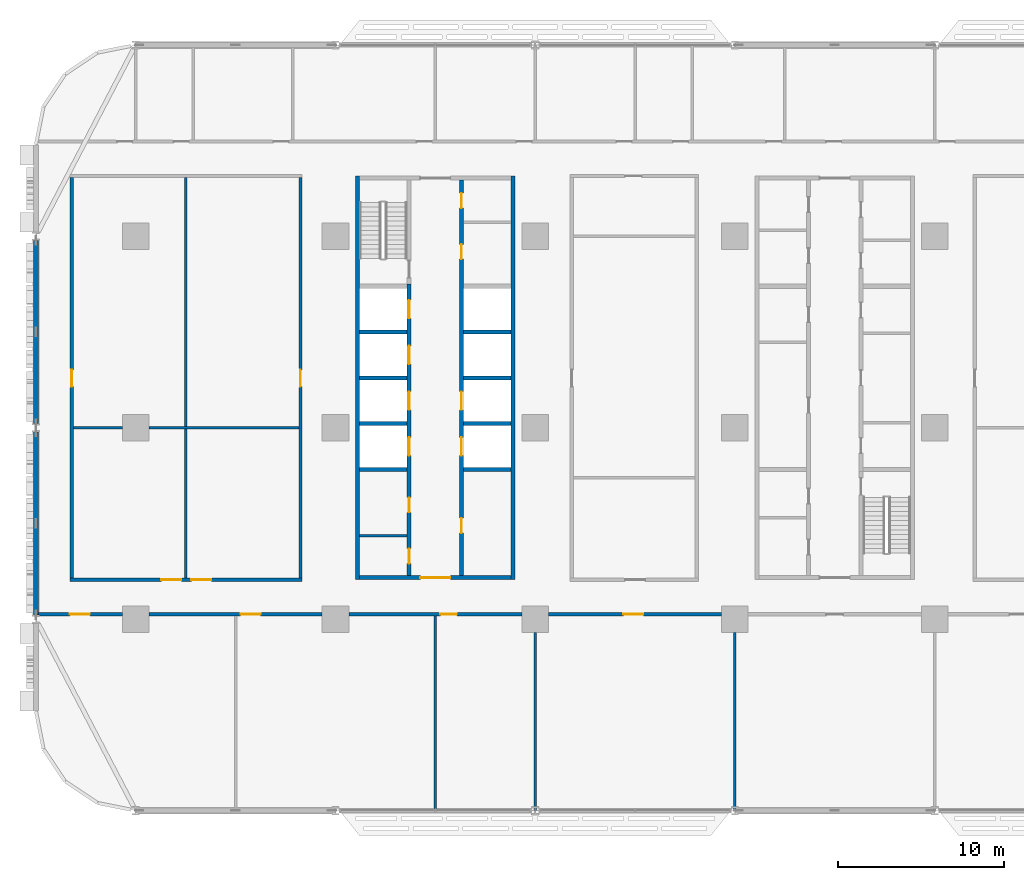
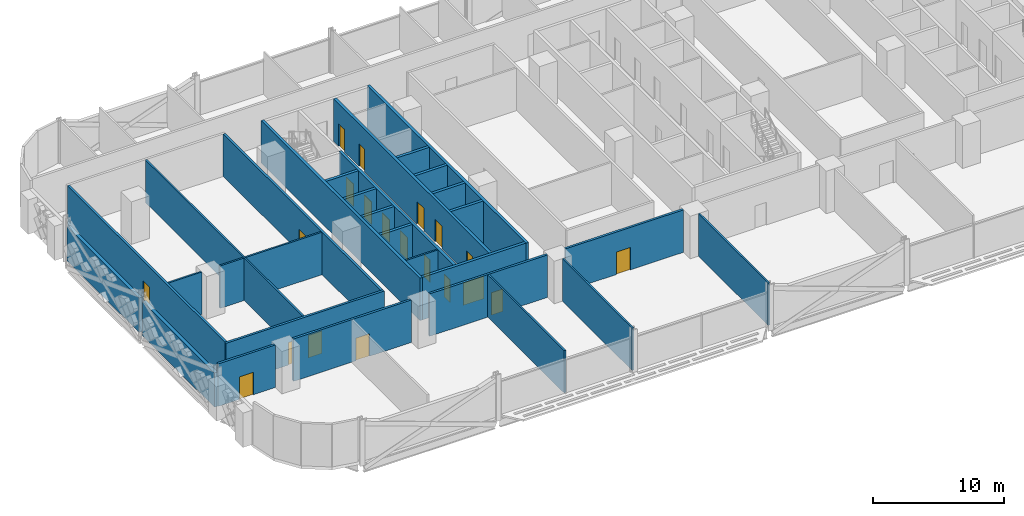
# One storey, part 10 of 28: 29 walls, 20 doors, 20 openings.
"""IFC4 building model written with IfcOpenShell, lengths in metres."""

from ifc_helpers import new_model, si_unit, direction, frame, frame_2d, origin, place, context, subcontext, project, spatial, rectangle, extrude, material, layer, layer_set, type_object, element, fill, save


model = new_model("IFC4")

# Units and contexts
model_context = context("Model", 3, precision=1e-05, world=origin(), true_north=direction((0.0, 1.0)))
body_context = subcontext(model_context, "Body", "Model", "MODEL_VIEW")
ifc_project = project(units=[si_unit("LENGTHUNIT", "METRE"), si_unit("AREAUNIT", "SQUARE_METRE"), si_unit("VOLUMEUNIT", "CUBIC_METRE"), si_unit("PLANEANGLEUNIT", "RADIAN"), si_unit("MASSUNIT", "GRAM", prefix="KILO")], contexts=[model_context])

# Site, building, storey
site_placement = place(None, origin())
site = spatial("IfcSite", under=ifc_project, at=site_placement, CompositionType="ELEMENT")
building_placement = place(site_placement, origin())
building = spatial("IfcBuilding", under=site, at=building_placement, Name="Mahtab Terrace Research Tower", CompositionType="ELEMENT")
storey_placement = place(building_placement, frame((0.0, 0.0, 33.0)))
storey = spatial("IfcBuildingStorey", under=building, at=storey_placement, Name="L07", CompositionType="ELEMENT", Elevation=33.0)

# Walls
ifc_material_1 = material(Name="Gypsum board partition")
ifc_layer_1 = layer(ifc_material_1, 0.14990234375)
ifc_layer_set_1 = layer_set([ifc_layer_1], Name="Core partition 150")
wall_type_1 = type_object("IfcWallType", Name="Core partition 150", PredefinedType="PARTITIONING", material=ifc_layer_set_1)
wall_1_placement = place(storey_placement, frame((-28.550048828125, -6.47509765625, 0.0), z_axis=(0.0, 0.0, 1.0), x_axis=(1.0, 0.0, 0.0)))
element("IfcWall", 1, at=wall_1_placement, inside=storey, type_object=wall_type_1, Name="Core wall A pWS-948", PredefinedType="PARTITIONING", context=body_context, shape_type="SweptSolid", body=[
    extrude(rectangle(XDim=2.85009765625, YDim=0.14990234375, at=frame_2d((1.425048828125, 0.0))), origin(), (0.0, 0.0, 1.0), 3.9599609375),
])
ifc_material_2 = material(Name="Concrete C70/85", Category="concrete")
ifc_layer_2 = layer(ifc_material_2, 0.25)
ifc_layer_set_2 = layer_set([ifc_layer_2], Name="Core wall 250")
wall_type_2 = type_object("IfcWallType", Name="Core wall 250", PredefinedType="SOLIDWALL", material=ifc_layer_set_2)
for number, where, z_axis, x_axis, name in (
    (2, (-28.675048828125, 15.125, 0.0), (0.0, 0.0, 1.0), (0.0, -1.0, 0.0), "Core wall A outerW"),
    (3, (-19.324951171875, -9.125, 0.0), (0.0, 0.0, 1.0), (0.0, 1.0, 0.0), "Core wall A outerE"),
):
    element("IfcWall", number, at=place(storey_placement, frame(where, z_axis=z_axis, x_axis=x_axis)), inside=storey, type_object=wall_type_2, Name=name, PredefinedType="SOLIDWALL", context=body_context, shape_type="SweptSolid", body=[
        extrude(rectangle(XDim=24.25, YDim=0.25, at=frame_2d((12.125, 0.0))), origin(), (0.0, 0.0, 1.0), 3.9599609375),
    ])

# Wall, opening, door
wall_2_placement = place(storey_placement, frame((-19.449951171875, -9.0, 0.0), z_axis=(0.0, 0.0, 1.0), x_axis=(-1.0, 0.0, 0.0)))
wall_2 = element("IfcWall", 4, at=wall_2_placement, inside=storey, type_object=wall_type_2, Name="Core wall A endS", PredefinedType="SOLIDWALL", context=body_context, shape_type="SweptSolid", body=[
    extrude(rectangle(XDim=9.10009765625, YDim=0.25, at=frame_2d((4.550048828125, 0.0))), origin(), (0.0, 0.0, 1.0), 3.9599609375),
])
opening_1_placement = place(wall_2_placement, frame((3.64990234375, 0.0, 0.0)))
opening_1 = element("IfcOpeningElement", 5, at=opening_1_placement, cuts=wall_2, Name="Opening A-S1", PredefinedType="OPENING", context=body_context, shape_type="SweptSolid", body=[
    extrude(rectangle(XDim=1.800048828125, YDim=2.10009765625, at=frame_2d((0.89990234375, 1.050048828125))), frame((0.0, 0.135009765625, 0.0), z_axis=(0.0, -1.0, 0.0), x_axis=(1.0, 0.0, 0.0)), (0.0, 0.0, 1.0), 0.27001953125),
])
ifc_material_3 = material(Name="Steel fire door", Category="steel")
door_type_1 = type_object("IfcDoorType", Name="Lobby double door 1800x2100 1 HR", OperationType="DOUBLE_DOOR_SINGLE_SWING", PredefinedType="DOOR", material=ifc_material_3)
door_1_placement = place(opening_1_placement, origin())
door_1 = element("IfcDoor", 6, at=door_1_placement, inside=storey, type_object=door_type_1, Name="Core entrance door A S", OperationType="DOUBLE_DOOR_SINGLE_SWING", OverallHeight=2.10009765625, OverallWidth=1.800048828125, PredefinedType="DOOR", context=body_context, shape_type="SweptSolid", body=[
    extrude(rectangle(XDim=1.800048828125, YDim=2.10009765625, at=frame_2d((0.89990234375, 1.050048828125))), frame((0.0, 0.02490234375, 0.0), z_axis=(0.0, -1.0, 0.0), x_axis=(1.0, 0.0, 0.0)), (0.0, 0.0, 1.0), 0.050048828125),
])
fill(opening_1, door_1)

# Wall, openings, doors
wall_3_placement = place(storey_placement, frame((-25.574951171875, -8.875, 0.0), z_axis=(0.0, 0.0, 1.0), x_axis=(0.0, 1.0, 0.0)))
wall_3 = element("IfcWall", 7, at=wall_3_placement, inside=storey, type_object=wall_type_2, Name="Core wall A innerWSL", PredefinedType="SOLIDWALL", context=body_context, shape_type="SweptSolid", body=[
    extrude(rectangle(XDim=17.5, YDim=0.25, at=frame_2d((8.75, 0.0))), origin(), (0.0, 0.0, 1.0), 3.9599609375),
])
opening_2_placement = place(wall_3_placement, frame((7.199951171875, 0.0, 0.0)))
opening_2 = element("IfcOpeningElement", 8, at=opening_2_placement, cuts=wall_3, Name="Opening LD01-L07", PredefinedType="OPENING", context=body_context, shape_type="SweptSolid", body=[
    extrude(rectangle(XDim=1.10009765625, YDim=2.10009765625, at=frame_2d((0.550048828125, 1.050048828125))), frame((0.0, 0.135009765625, 0.0), z_axis=(0.0, -1.0, 0.0), x_axis=(1.0, 0.0, 0.0)), (0.0, 0.0, 1.0), 0.27001953125),
])
opening_3_placement = place(wall_3_placement, frame((9.949951171875, 0.0, 0.0)))
opening_3 = element("IfcOpeningElement", 9, at=opening_3_placement, cuts=wall_3, Name="Opening LD02-L07", PredefinedType="OPENING", context=body_context, shape_type="SweptSolid", body=[
    extrude(rectangle(XDim=1.10009765625, YDim=2.10009765625, at=frame_2d((0.550048828125, 1.050048828125))), frame((0.0, 0.135009765625, 0.0), z_axis=(0.0, -1.0, 0.0), x_axis=(1.0, 0.0, 0.0)), (0.0, 0.0, 1.0), 0.27001953125),
])
opening_4_placement = place(wall_3_placement, frame((12.699951171875, 0.0, 0.0)))
opening_4 = element("IfcOpeningElement", 10, at=opening_4_placement, cuts=wall_3, Name="Opening LD03-L07", PredefinedType="OPENING", context=body_context, shape_type="SweptSolid", body=[
    extrude(rectangle(XDim=1.10009765625, YDim=2.10009765625, at=frame_2d((0.550048828125, 1.050048828125))), frame((0.0, 0.135009765625, 0.0), z_axis=(0.0, -1.0, 0.0), x_axis=(1.0, 0.0, 0.0)), (0.0, 0.0, 1.0), 0.27001953125),
])
opening_5_placement = place(wall_3_placement, frame((15.449951171875, 0.0, 0.0)))
opening_5 = element("IfcOpeningElement", 11, at=opening_5_placement, cuts=wall_3, Name="Opening LD04-L07", PredefinedType="OPENING", context=body_context, shape_type="SweptSolid", body=[
    extrude(rectangle(XDim=1.10009765625, YDim=2.10009765625, at=frame_2d((0.550048828125, 1.050048828125))), frame((0.0, 0.135009765625, 0.0), z_axis=(0.0, -1.0, 0.0), x_axis=(1.0, 0.0, 0.0)), (0.0, 0.0, 1.0), 0.27001953125),
])
opening_6_placement = place(wall_3_placement, frame((0.71240234375, 0.0, 0.0)))
opening_6 = element("IfcOpeningElement", 12, at=opening_6_placement, cuts=wall_3, Name="Opening A-R1", PredefinedType="OPENING", context=body_context, shape_type="SweptSolid", body=[
    extrude(rectangle(XDim=0.89990234375, YDim=2.10009765625, at=frame_2d((0.449951171875, 1.050048828125))), frame((0.0, 0.135009765625, 0.0), z_axis=(0.0, -1.0, 0.0), x_axis=(1.0, 0.0, 0.0)), (0.0, 0.0, 1.0), 0.27001953125),
])
opening_7_placement = place(wall_3_placement, frame((3.78759765625, 0.0, 0.0)))
opening_7 = element("IfcOpeningElement", 13, at=opening_7_placement, cuts=wall_3, Name="Opening A-R2", PredefinedType="OPENING", context=body_context, shape_type="SweptSolid", body=[
    extrude(rectangle(XDim=0.89990234375, YDim=2.10009765625, at=frame_2d((0.449951171875, 1.050048828125))), frame((0.0, 0.135009765625, 0.0), z_axis=(0.0, -1.0, 0.0), x_axis=(1.0, 0.0, 0.0)), (0.0, 0.0, 1.0), 0.27001953125),
])
ifc_material_4 = material(Name="Stainless steel AISI 304", Category="steel")
door_type_2 = type_object("IfcDoorType", Name="Landing door 1100x2100", OperationType="DOUBLE_DOOR_SLIDING", PredefinedType="DOOR", material=ifc_material_4)
door_2_placement = place(opening_2_placement, origin())
door_2 = element("IfcDoor", 14, at=door_2_placement, inside=storey, type_object=door_type_2, Name="Landing door LR1 L07", OperationType="DOUBLE_DOOR_SLIDING", OverallHeight=2.10009765625, OverallWidth=1.10009765625, PredefinedType="DOOR", context=body_context, shape_type="SweptSolid", body=[
    extrude(rectangle(XDim=1.10009765625, YDim=2.10009765625, at=frame_2d((0.550048828125, 1.050048828125))), frame((0.0, 0.02490234375, 0.0), z_axis=(0.0, -1.0, 0.0), x_axis=(1.0, 0.0, 0.0)), (0.0, 0.0, 1.0), 0.050048828125),
])
fill(opening_2, door_2)
door_3_placement = place(opening_3_placement, origin())
door_3 = element("IfcDoor", 15, at=door_3_placement, inside=storey, type_object=door_type_2, Name="Landing door LR2 L07", OperationType="DOUBLE_DOOR_SLIDING", OverallHeight=2.10009765625, OverallWidth=1.10009765625, PredefinedType="DOOR", context=body_context, shape_type="SweptSolid", body=[
    extrude(rectangle(XDim=1.10009765625, YDim=2.10009765625, at=frame_2d((0.550048828125, 1.050048828125))), frame((0.0, 0.02490234375, 0.0), z_axis=(0.0, -1.0, 0.0), x_axis=(1.0, 0.0, 0.0)), (0.0, 0.0, 1.0), 0.050048828125),
])
fill(opening_3, door_3)
door_4_placement = place(opening_4_placement, origin())
door_4 = element("IfcDoor", 16, at=door_4_placement, inside=storey, type_object=door_type_2, Name="Landing door LR3 L07", OperationType="DOUBLE_DOOR_SLIDING", OverallHeight=2.10009765625, OverallWidth=1.10009765625, PredefinedType="DOOR", context=body_context, shape_type="SweptSolid", body=[
    extrude(rectangle(XDim=1.10009765625, YDim=2.10009765625, at=frame_2d((0.550048828125, 1.050048828125))), frame((0.0, 0.02490234375, 0.0), z_axis=(0.0, -1.0, 0.0), x_axis=(1.0, 0.0, 0.0)), (0.0, 0.0, 1.0), 0.050048828125),
])
fill(opening_4, door_4)
door_5_placement = place(opening_5_placement, origin())
door_5 = element("IfcDoor", 17, at=door_5_placement, inside=storey, type_object=door_type_2, Name="Landing door LR4 L07", OperationType="DOUBLE_DOOR_SLIDING", OverallHeight=2.10009765625, OverallWidth=1.10009765625, PredefinedType="DOOR", context=body_context, shape_type="SweptSolid", body=[
    extrude(rectangle(XDim=1.10009765625, YDim=2.10009765625, at=frame_2d((0.550048828125, 1.050048828125))), frame((0.0, 0.02490234375, 0.0), z_axis=(0.0, -1.0, 0.0), x_axis=(1.0, 0.0, 0.0)), (0.0, 0.0, 1.0), 0.050048828125),
])
fill(opening_5, door_5)
door_type_3 = type_object("IfcDoorType", Name="Room door 900x2100 1 HR", OperationType="NOTDEFINED", PredefinedType="DOOR", material=ifc_material_3)
door_6_placement = place(opening_6_placement, origin())
door_6 = element("IfcDoor", 18, at=door_6_placement, inside=storey, type_object=door_type_3, Name="Accessible WC door", OperationType="SINGLE_SWING_LEFT", OverallHeight=2.10009765625, OverallWidth=0.89990234375, PredefinedType="DOOR", context=body_context, shape_type="SweptSolid", body=[
    extrude(rectangle(XDim=0.89990234375, YDim=2.10009765625, at=frame_2d((0.449951171875, 1.050048828125))), frame((0.0, 0.02490234375, 0.0), z_axis=(0.0, -1.0, 0.0), x_axis=(1.0, 0.0, 0.0)), (0.0, 0.0, 1.0), 0.050048828125),
])
fill(opening_6, door_6)
door_7_placement = place(opening_7_placement, origin())
door_7 = element("IfcDoor", 19, at=door_7_placement, inside=storey, type_object=door_type_3, Name="WC block door", OperationType="SINGLE_SWING_RIGHT", OverallHeight=2.10009765625, OverallWidth=0.89990234375, PredefinedType="DOOR", context=body_context, shape_type="SweptSolid", body=[
    extrude(rectangle(XDim=0.89990234375, YDim=2.10009765625, at=frame_2d((0.449951171875, 1.050048828125))), frame((0.0, 0.02490234375, 0.0), z_axis=(0.0, -1.0, 0.0), x_axis=(1.0, 0.0, 0.0)), (0.0, 0.0, 1.0), 0.050048828125),
])
fill(opening_7, door_7)

wall_4_placement = place(storey_placement, frame((-22.425048828125, 14.875, 0.0), z_axis=(0.0, 0.0, 1.0), x_axis=(0.0, -1.0, 0.0)))
wall_4 = element("IfcWall", 20, at=wall_4_placement, inside=storey, type_object=wall_type_2, Name="Core wall A innerESLN", PredefinedType="SOLIDWALL", context=body_context, shape_type="SweptSolid", body=[
    extrude(rectangle(XDim=23.75, YDim=0.25, at=frame_2d((11.875, 0.0))), origin(), (0.0, 0.0, 1.0), 3.9599609375),
])
opening_8_placement = place(wall_4_placement, frame((15.449951171875, 0.0, 0.0)))
opening_8 = element("IfcOpeningElement", 21, at=opening_8_placement, cuts=wall_4, Name="Opening LD05-L07", PredefinedType="OPENING", context=body_context, shape_type="SweptSolid", body=[
    extrude(rectangle(XDim=1.10009765625, YDim=2.10009765625, at=frame_2d((0.550048828125, 1.050048828125))), frame((0.0, 0.135009765625, 0.0), z_axis=(0.0, -1.0, 0.0), x_axis=(1.0, 0.0, 0.0)), (0.0, 0.0, 1.0), 0.27001953125),
])
opening_9_placement = place(wall_4_placement, frame((12.699951171875, 0.0, 0.0)))
opening_9 = element("IfcOpeningElement", 22, at=opening_9_placement, cuts=wall_4, Name="Opening LD06-L07", PredefinedType="OPENING", context=body_context, shape_type="SweptSolid", body=[
    extrude(rectangle(XDim=1.10009765625, YDim=2.10009765625, at=frame_2d((0.550048828125, 1.050048828125))), frame((0.0, 0.135009765625, 0.0), z_axis=(0.0, -1.0, 0.0), x_axis=(1.0, 0.0, 0.0)), (0.0, 0.0, 1.0), 0.27001953125),
])
opening_10_placement = place(wall_4_placement, frame((20.300048828125, 0.0, 0.0)))
opening_10 = element("IfcOpeningElement", 23, at=opening_10_placement, cuts=wall_4, Name="Opening A-R3", PredefinedType="OPENING", context=body_context, shape_type="SweptSolid", body=[
    extrude(rectangle(XDim=0.89990234375, YDim=2.10009765625, at=frame_2d((0.449951171875, 1.050048828125))), frame((0.0, 0.135009765625, 0.0), z_axis=(0.0, -1.0, 0.0), x_axis=(1.0, 0.0, 0.0)), (0.0, 0.0, 1.0), 0.27001953125),
])
opening_11_placement = place(wall_4_placement, frame((3.847412109375, 0.0, 0.0)))
opening_11 = element("IfcOpeningElement", 24, at=opening_11_placement, cuts=wall_4, Name="Opening A-R4", PredefinedType="OPENING", context=body_context, shape_type="SweptSolid", body=[
    extrude(rectangle(XDim=0.89990234375, YDim=2.10009765625, at=frame_2d((0.449951171875, 1.050048828125))), frame((0.0, 0.135009765625, 0.0), z_axis=(0.0, -1.0, 0.0), x_axis=(1.0, 0.0, 0.0)), (0.0, 0.0, 1.0), 0.27001953125),
])
opening_12_placement = place(wall_4_placement, frame((0.7724609375, 0.0, 0.0)))
opening_12 = element("IfcOpeningElement", 25, at=opening_12_placement, cuts=wall_4, Name="Opening A-R5", PredefinedType="OPENING", context=body_context, shape_type="SweptSolid", body=[
    extrude(rectangle(XDim=0.89990234375, YDim=2.10009765625, at=frame_2d((0.449951171875, 1.050048828125))), frame((0.0, 0.135009765625, 0.0), z_axis=(0.0, -1.0, 0.0), x_axis=(1.0, 0.0, 0.0)), (0.0, 0.0, 1.0), 0.27001953125),
])
door_8_placement = place(opening_8_placement, origin())
door_8 = element("IfcDoor", 26, at=door_8_placement, inside=storey, type_object=door_type_2, Name="Landing door LR5 L07", OperationType="DOUBLE_DOOR_SLIDING", OverallHeight=2.10009765625, OverallWidth=1.10009765625, PredefinedType="DOOR", context=body_context, shape_type="SweptSolid", body=[
    extrude(rectangle(XDim=1.10009765625, YDim=2.10009765625, at=frame_2d((0.550048828125, 1.050048828125))), frame((0.0, 0.02490234375, 0.0), z_axis=(0.0, -1.0, 0.0), x_axis=(1.0, 0.0, 0.0)), (0.0, 0.0, 1.0), 0.050048828125),
])
fill(opening_8, door_8)
door_9_placement = place(opening_9_placement, origin())
door_9 = element("IfcDoor", 27, at=door_9_placement, inside=storey, type_object=door_type_2, Name="Landing door LR6 L07", OperationType="DOUBLE_DOOR_SLIDING", OverallHeight=2.10009765625, OverallWidth=1.10009765625, PredefinedType="DOOR", context=body_context, shape_type="SweptSolid", body=[
    extrude(rectangle(XDim=1.10009765625, YDim=2.10009765625, at=frame_2d((0.550048828125, 1.050048828125))), frame((0.0, 0.02490234375, 0.0), z_axis=(0.0, -1.0, 0.0), x_axis=(1.0, 0.0, 0.0)), (0.0, 0.0, 1.0), 0.050048828125),
])
fill(opening_9, door_9)
door_10_placement = place(opening_10_placement, origin())
door_10 = element("IfcDoor", 28, at=door_10_placement, inside=storey, type_object=door_type_3, Name="Gas cylinder store door", OperationType="SINGLE_SWING_LEFT", OverallHeight=2.10009765625, OverallWidth=0.89990234375, PredefinedType="DOOR", context=body_context, shape_type="SweptSolid", body=[
    extrude(rectangle(XDim=0.89990234375, YDim=2.10009765625, at=frame_2d((0.449951171875, 1.050048828125))), frame((0.0, 0.02490234375, 0.0), z_axis=(0.0, -1.0, 0.0), x_axis=(1.0, 0.0, 0.0)), (0.0, 0.0, 1.0), 0.050048828125),
])
fill(opening_10, door_10)
door_11_placement = place(opening_11_placement, origin())
door_11 = element("IfcDoor", 29, at=door_11_placement, inside=storey, type_object=door_type_3, Name="Pantry door", OperationType="SINGLE_SWING_RIGHT", OverallHeight=2.10009765625, OverallWidth=0.89990234375, PredefinedType="DOOR", context=body_context, shape_type="SweptSolid", body=[
    extrude(rectangle(XDim=0.89990234375, YDim=2.10009765625, at=frame_2d((0.449951171875, 1.050048828125))), frame((0.0, 0.02490234375, 0.0), z_axis=(0.0, -1.0, 0.0), x_axis=(1.0, 0.0, 0.0)), (0.0, 0.0, 1.0), 0.050048828125),
])
fill(opening_11, door_11)
door_12_placement = place(opening_12_placement, origin())
door_12 = element("IfcDoor", 30, at=door_12_placement, inside=storey, type_object=door_type_3, Name="Linen store door", OperationType="SINGLE_SWING_LEFT", OverallHeight=2.10009765625, OverallWidth=0.89990234375, PredefinedType="DOOR", context=body_context, shape_type="SweptSolid", body=[
    extrude(rectangle(XDim=0.89990234375, YDim=2.10009765625, at=frame_2d((0.449951171875, 1.050048828125))), frame((0.0, 0.02490234375, 0.0), z_axis=(0.0, -1.0, 0.0), x_axis=(1.0, 0.0, 0.0)), (0.0, 0.0, 1.0), 0.050048828125),
])
fill(opening_12, door_12)

# Walls
for number, where, z_axis, x_axis, name in (
    (31, (-28.550048828125, -2.5, 0.0), (0.0, 0.0, 1.0), (1.0, 0.0, 0.0), "Core wall A divW0"),
    (32, (-28.550048828125, 0.25, 0.0), (0.0, 0.0, 1.0), (1.0, 0.0, 0.0), "Core wall A divW1"),
    (33, (-28.550048828125, 3.0, 0.0), (0.0, 0.0, 1.0), (1.0, 0.0, 0.0), "Core wall A divW2"),
    (34, (-28.550048828125, 5.75, 0.0), (0.0, 0.0, 1.0), (1.0, 0.0, 0.0), "Core wall A divW3"),
    (35, (-22.300048828125, -2.5, 0.0), (0.0, 0.0, 1.0), (1.0, 0.0, 0.0), "Core wall A divE0"),
    (36, (-22.300048828125, 0.25, 0.0), (0.0, 0.0, 1.0), (1.0, 0.0, 0.0), "Core wall A divE1"),
    (37, (-22.300048828125, 3.0, 0.0), (0.0, 0.0, 1.0), (1.0, 0.0, 0.0), "Core wall A divE2"),
    (38, (-22.300048828125, 5.75, 0.0), (0.0, 0.0, 1.0), (1.0, 0.0, 0.0), "Core wall A divE3"),
):
    element("IfcWall", number, at=place(storey_placement, frame(where, z_axis=z_axis, x_axis=x_axis)), inside=storey, type_object=wall_type_2, Name=name, PredefinedType="SOLIDWALL", context=body_context, shape_type="SweptSolid", body=[
        extrude(rectangle(XDim=2.85009765625, YDim=0.25, at=frame_2d((1.425048828125, 0.0))), origin(), (0.0, 0.0, 1.0), 3.9599609375),
    ])
ifc_material_5 = material(Name="Black aluminium cladding panel", Category="aluminium")
ifc_layer_3 = layer(ifc_material_5, 0.300048828125)
ifc_layer_set_3 = layer_set([ifc_layer_3], Name="Opaque facade wall 300")
wall_type_3 = type_object("IfcWallType", Name="Opaque facade wall 300", PredefinedType="NOTDEFINED", material=ifc_layer_set_3)
for number, where, z_axis, x_axis, name in (
    (39, (-48.0, 11.2509765625, 0.0), (0.0, 0.0, 1.0), (0.0, -1.0, 0.0), "Opaque facade wall L07 W15"),
    (40, (-48.0, -0.2490234375, 0.0), (0.0, 0.0, 1.0), (0.0, -1.0, 0.0), "Opaque facade wall L07 W16"),
):
    element("IfcWall", number, at=place(storey_placement, frame(where, z_axis=z_axis, x_axis=x_axis)), inside=storey, type_object=wall_type_3, Name=name, PredefinedType="NOTDEFINED", context=body_context, shape_type="SweptSolid", body=[
        extrude(rectangle(XDim=11.001953125, YDim=0.300048828125, at=frame_2d((5.5009765625, 0.0))), origin(), (0.0, 0.0, 1.0), 3.203125),
    ])

# Wall, opening, door
ifc_material_6 = material(Name="Gypsum board corridor wall on steel studs", Category="steel")
ifc_layer_4 = layer(ifc_material_6, 0.199951171875)
ifc_layer_set_4 = layer_set([ifc_layer_4], Name="WALL CORRIDOR 200")
wall_type_4 = type_object("IfcWallType", Name="WALL CORRIDOR 200", PredefinedType="PARTITIONING", material=ifc_layer_set_4)
wall_5_placement = place(storey_placement, frame((-47.85009765625, -11.199951171875, 0.0), z_axis=(0.0, 0.0, 1.0), x_axis=(1.0, 0.0, 0.0)))
wall_5 = element("IfcWall", 41, at=wall_5_placement, inside=storey, type_object=wall_type_4, Name="L07-W001", PredefinedType="PARTITIONING", context=body_context, shape_type="SweptSolid", body=[
    extrude(rectangle(XDim=5.050048828125, YDim=0.199951171875, at=frame_2d((2.52490234375, 0.0))), origin(), (0.0, 0.0, 1.0), 3.9599609375),
])
opening_13_placement = place(wall_5_placement, frame((1.89990234375, 0.0, 0.0)))
opening_13 = element("IfcOpeningElement", 42, at=opening_13_placement, cuts=wall_5, Name="Opening L07-101", PredefinedType="OPENING", context=body_context, shape_type="SweptSolid", body=[
    extrude(rectangle(XDim=1.199951171875, YDim=2.10009765625, at=frame_2d((0.60009765625, 1.050048828125))), frame((0.0, 0.10986328125, 0.0), z_axis=(0.0, -1.0, 0.0), x_axis=(1.0, 0.0, 0.0)), (0.0, 0.0, 1.0), 0.219970703125),
])
ifc_material_7 = material(Name="Timber door leaf in steel frame", Category="steel")
door_type_4 = type_object("IfcDoorType", Name="DOOR 1200X2100 FD30S", OperationType="SINGLE_SWING_LEFT", PredefinedType="DOOR", material=ifc_material_7)
door_13_placement = place(opening_13_placement, origin())
door_13 = element("IfcDoor", 43, at=door_13_placement, inside=storey, type_object=door_type_4, Name="Door L07-101", OperationType="SINGLE_SWING_RIGHT", OverallHeight=2.10009765625, OverallWidth=1.199951171875, PredefinedType="DOOR", context=body_context, shape_type="SweptSolid", body=[
    extrude(rectangle(XDim=1.199951171875, YDim=2.10009765625, at=frame_2d((0.60009765625, 1.050048828125))), frame((0.0, 0.02490234375, 0.0), z_axis=(0.0, -1.0, 0.0), x_axis=(1.0, 0.0, 0.0)), (0.0, 0.0, 1.0), 0.050048828125),
])
fill(opening_13, door_13)

wall_6_placement = place(storey_placement, frame((-41.199951171875, -11.199951171875, 0.0), z_axis=(0.0, 0.0, 1.0), x_axis=(1.0, 0.0, 0.0)))
wall_6 = element("IfcWall", 44, at=wall_6_placement, inside=storey, type_object=wall_type_4, Name="L07-W002", PredefinedType="PARTITIONING", context=body_context, shape_type="SweptSolid", body=[
    extrude(rectangle(XDim=10.39990234375, YDim=0.199951171875, at=frame_2d((5.199951171875, 0.0))), origin(), (0.0, 0.0, 1.0), 3.9599609375),
])
opening_14_placement = place(wall_6_placement, frame((5.5, 0.0, 0.0)))
opening_14 = element("IfcOpeningElement", 45, at=opening_14_placement, cuts=wall_6, Name="Opening L07-102", PredefinedType="OPENING", context=body_context, shape_type="SweptSolid", body=[
    extrude(rectangle(XDim=1.199951171875, YDim=2.10009765625, at=frame_2d((0.60009765625, 1.050048828125))), frame((0.0, 0.10986328125, 0.0), z_axis=(0.0, -1.0, 0.0), x_axis=(1.0, 0.0, 0.0)), (0.0, 0.0, 1.0), 0.219970703125),
])
door_14_placement = place(opening_14_placement, origin())
door_14 = element("IfcDoor", 46, at=door_14_placement, inside=storey, type_object=door_type_4, Name="Door L07-102", OperationType="SINGLE_SWING_LEFT", OverallHeight=2.10009765625, OverallWidth=1.199951171875, PredefinedType="DOOR", context=body_context, shape_type="SweptSolid", body=[
    extrude(rectangle(XDim=1.199951171875, YDim=2.10009765625, at=frame_2d((0.60009765625, 1.050048828125))), frame((0.0, 0.02490234375, 0.0), z_axis=(0.0, -1.0, 0.0), x_axis=(1.0, 0.0, 0.0)), (0.0, 0.0, 1.0), 0.050048828125),
])
fill(opening_14, door_14)

wall_7_placement = place(storey_placement, frame((-29.199951171875, -11.199951171875, 0.0), z_axis=(0.0, 0.0, 1.0), x_axis=(1.0, 0.0, 0.0)))
wall_7 = element("IfcWall", 47, at=wall_7_placement, inside=storey, type_object=wall_type_4, Name="L07-W003", PredefinedType="PARTITIONING", context=body_context, shape_type="SweptSolid", body=[
    extrude(rectangle(XDim=10.39990234375, YDim=0.199951171875, at=frame_2d((5.199951171875, 0.0))), origin(), (0.0, 0.0, 1.0), 3.9599609375),
])
opening_15_placement = place(wall_7_placement, frame((5.5, 0.0, 0.0)))
opening_15 = element("IfcOpeningElement", 48, at=opening_15_placement, cuts=wall_7, Name="Opening L07-103", PredefinedType="OPENING", context=body_context, shape_type="SweptSolid", body=[
    extrude(rectangle(XDim=1.0, YDim=2.10009765625, at=frame_2d((0.5, 1.050048828125))), frame((0.0, 0.10986328125, 0.0), z_axis=(0.0, -1.0, 0.0), x_axis=(1.0, 0.0, 0.0)), (0.0, 0.0, 1.0), 0.219970703125),
])
door_type_5 = type_object("IfcDoorType", Name="DOOR 1000X2100 FD30S", OperationType="SINGLE_SWING_LEFT", PredefinedType="DOOR", material=ifc_material_7)
door_15_placement = place(opening_15_placement, origin())
door_15 = element("IfcDoor", 49, at=door_15_placement, inside=storey, type_object=door_type_5, Name="Door L07-103", OperationType="SINGLE_SWING_LEFT", OverallHeight=2.10009765625, OverallWidth=1.0, PredefinedType="DOOR", context=body_context, shape_type="SweptSolid", body=[
    extrude(rectangle(XDim=1.0, YDim=2.10009765625, at=frame_2d((0.5, 1.050048828125))), frame((0.0, 0.02490234375, 0.0), z_axis=(0.0, -1.0, 0.0), x_axis=(1.0, 0.0, 0.0)), (0.0, 0.0, 1.0), 0.050048828125),
])
fill(opening_15, door_15)

wall_8_placement = place(storey_placement, frame((-17.199951171875, -11.199951171875, 0.0), z_axis=(0.0, 0.0, 1.0), x_axis=(1.0, 0.0, 0.0)))
wall_8 = element("IfcWall", 50, at=wall_8_placement, inside=storey, type_object=wall_type_4, Name="L07-W004", PredefinedType="PARTITIONING", context=body_context, shape_type="SweptSolid", body=[
    extrude(rectangle(XDim=10.39990234375, YDim=0.199951171875, at=frame_2d((5.199951171875, 0.0))), origin(), (0.0, 0.0, 1.0), 3.9599609375),
])
opening_16_placement = place(wall_8_placement, frame((4.5, 0.0, 0.0)))
opening_16 = element("IfcOpeningElement", 51, at=opening_16_placement, cuts=wall_8, Name="Opening L07-104", PredefinedType="OPENING", context=body_context, shape_type="SweptSolid", body=[
    extrude(rectangle(XDim=1.199951171875, YDim=2.10009765625, at=frame_2d((0.60009765625, 1.050048828125))), frame((0.0, 0.10986328125, 0.0), z_axis=(0.0, -1.0, 0.0), x_axis=(1.0, 0.0, 0.0)), (0.0, 0.0, 1.0), 0.219970703125),
])
door_16_placement = place(opening_16_placement, origin())
door_16 = element("IfcDoor", 52, at=door_16_placement, inside=storey, type_object=door_type_4, Name="Door L07-104", OperationType="SINGLE_SWING_RIGHT", OverallHeight=2.10009765625, OverallWidth=1.199951171875, PredefinedType="DOOR", context=body_context, shape_type="SweptSolid", body=[
    extrude(rectangle(XDim=1.199951171875, YDim=2.10009765625, at=frame_2d((0.60009765625, 1.050048828125))), frame((0.0, 0.02490234375, 0.0), z_axis=(0.0, -1.0, 0.0), x_axis=(1.0, 0.0, 0.0)), (0.0, 0.0, 1.0), 0.050048828125),
])
fill(opening_16, door_16)

# Wall, openings, doors
wall_9_placement = place(storey_placement, frame((-45.949951171875, -9.125, 0.0), z_axis=(0.0, 0.0, 1.0), x_axis=(1.0, 0.0, 0.0)))
wall_9 = element("IfcWall", 53, at=wall_9_placement, inside=storey, type_object=wall_type_4, Name="L07-W010", PredefinedType="PARTITIONING", context=body_context, shape_type="SweptSolid", body=[
    extrude(rectangle(XDim=13.949951171875, YDim=0.199951171875, at=frame_2d((6.97509765625, 0.0))), origin(), (0.0, 0.0, 1.0), 3.9599609375),
])
opening_17_placement = place(wall_9_placement, frame((5.5, 0.0, 0.0)))
opening_17 = element("IfcOpeningElement", 54, at=opening_17_placement, cuts=wall_9, Name="Opening L07-114", PredefinedType="OPENING", context=body_context, shape_type="SweptSolid", body=[
    extrude(rectangle(XDim=1.199951171875, YDim=2.10009765625, at=frame_2d((0.60009765625, 1.050048828125))), frame((0.0, 0.10986328125, 0.0), z_axis=(0.0, -1.0, 0.0), x_axis=(1.0, 0.0, 0.0)), (0.0, 0.0, 1.0), 0.219970703125),
])
opening_18_placement = place(wall_9_placement, frame((7.300048828125, 0.0, 0.0)))
opening_18 = element("IfcOpeningElement", 55, at=opening_18_placement, cuts=wall_9, Name="Opening L07-115", PredefinedType="OPENING", context=body_context, shape_type="SweptSolid", body=[
    extrude(rectangle(XDim=1.199951171875, YDim=2.10009765625, at=frame_2d((0.60009765625, 1.050048828125))), frame((0.0, 0.10986328125, 0.0), z_axis=(0.0, -1.0, 0.0), x_axis=(1.0, 0.0, 0.0)), (0.0, 0.0, 1.0), 0.219970703125),
])
door_17_placement = place(opening_17_placement, origin())
door_17 = element("IfcDoor", 56, at=door_17_placement, inside=storey, type_object=door_type_4, Name="Door L07-114", OperationType="SINGLE_SWING_LEFT", OverallHeight=2.10009765625, OverallWidth=1.199951171875, PredefinedType="DOOR", context=body_context, shape_type="SweptSolid", body=[
    extrude(rectangle(XDim=1.199951171875, YDim=2.10009765625, at=frame_2d((0.60009765625, 1.050048828125))), frame((0.0, 0.02490234375, 0.0), z_axis=(0.0, -1.0, 0.0), x_axis=(1.0, 0.0, 0.0)), (0.0, 0.0, 1.0), 0.050048828125),
])
fill(opening_17, door_17)
door_18_placement = place(opening_18_placement, origin())
door_18 = element("IfcDoor", 57, at=door_18_placement, inside=storey, type_object=door_type_4, Name="Door L07-115", OperationType="SINGLE_SWING_RIGHT", OverallHeight=2.10009765625, OverallWidth=1.199951171875, PredefinedType="DOOR", context=body_context, shape_type="SweptSolid", body=[
    extrude(rectangle(XDim=1.199951171875, YDim=2.10009765625, at=frame_2d((0.60009765625, 1.050048828125))), frame((0.0, 0.02490234375, 0.0), z_axis=(0.0, -1.0, 0.0), x_axis=(1.0, 0.0, 0.0)), (0.0, 0.0, 1.0), 0.050048828125),
])
fill(opening_18, door_18)

# Wall, opening, door
wall_10_placement = place(storey_placement, frame((-45.85009765625, -9.02490234375, 0.0), z_axis=(0.0, 0.0, 1.0), x_axis=(0.0, 1.0, 0.0)))
wall_10 = element("IfcWall", 58, at=wall_10_placement, inside=storey, type_object=wall_type_4, Name="L07-W027", PredefinedType="PARTITIONING", context=body_context, shape_type="SweptSolid", body=[
    extrude(rectangle(XDim=24.0498046875, YDim=0.199951171875, at=frame_2d((12.02490234375, 0.0))), origin(), (0.0, 0.0, 1.0), 3.9599609375),
])
opening_19_placement = place(wall_10_placement, frame((11.5, 0.0, 0.0)))
opening_19 = element("IfcOpeningElement", 59, at=opening_19_placement, cuts=wall_10, Name="Opening L07-120", PredefinedType="OPENING", context=body_context, shape_type="SweptSolid", body=[
    extrude(rectangle(XDim=1.0, YDim=2.10009765625, at=frame_2d((0.5, 1.050048828125))), frame((0.0, 0.10986328125, 0.0), z_axis=(0.0, -1.0, 0.0), x_axis=(1.0, 0.0, 0.0)), (0.0, 0.0, 1.0), 0.219970703125),
])
door_19_placement = place(opening_19_placement, origin())
door_19 = element("IfcDoor", 60, at=door_19_placement, inside=storey, type_object=door_type_5, Name="Door L07-120", OperationType="SINGLE_SWING_RIGHT", OverallHeight=2.10009765625, OverallWidth=1.0, PredefinedType="DOOR", context=body_context, shape_type="SweptSolid", body=[
    extrude(rectangle(XDim=1.0, YDim=2.10009765625, at=frame_2d((0.5, 1.050048828125))), frame((0.0, 0.02490234375, 0.0), z_axis=(0.0, -1.0, 0.0), x_axis=(1.0, 0.0, 0.0)), (0.0, 0.0, 1.0), 0.050048828125),
])
fill(opening_19, door_19)

wall_11_placement = place(storey_placement, frame((-32.10009765625, -9.02490234375, 0.0), z_axis=(0.0, 0.0, 1.0), x_axis=(0.0, 1.0, 0.0)))
wall_11 = element("IfcWall", 61, at=wall_11_placement, inside=storey, type_object=wall_type_4, Name="L07-W033", PredefinedType="PARTITIONING", context=body_context, shape_type="SweptSolid", body=[
    extrude(rectangle(XDim=24.0498046875, YDim=0.199951171875, at=frame_2d((12.02490234375, 0.0))), origin(), (0.0, 0.0, 1.0), 3.9599609375),
])
opening_20_placement = place(wall_11_placement, frame((11.5, 0.0, 0.0)))
opening_20 = element("IfcOpeningElement", 62, at=opening_20_placement, cuts=wall_11, Name="Opening L07-121", PredefinedType="OPENING", context=body_context, shape_type="SweptSolid", body=[
    extrude(rectangle(XDim=1.0, YDim=2.10009765625, at=frame_2d((0.5, 1.050048828125))), frame((0.0, 0.10986328125, 0.0), z_axis=(0.0, -1.0, 0.0), x_axis=(1.0, 0.0, 0.0)), (0.0, 0.0, 1.0), 0.219970703125),
])
door_20_placement = place(opening_20_placement, origin())
door_20 = element("IfcDoor", 63, at=door_20_placement, inside=storey, type_object=door_type_5, Name="Door L07-121", OperationType="SINGLE_SWING_LEFT", OverallHeight=2.10009765625, OverallWidth=1.0, PredefinedType="DOOR", context=body_context, shape_type="SweptSolid", body=[
    extrude(rectangle(XDim=1.0, YDim=2.10009765625, at=frame_2d((0.5, 1.050048828125))), frame((0.0, 0.02490234375, 0.0), z_axis=(0.0, -1.0, 0.0), x_axis=(1.0, 0.0, 0.0)), (0.0, 0.0, 1.0), 0.050048828125),
])
fill(opening_20, door_20)

# Walls
ifc_material_8 = material(Name="Gypsum board partition on steel studs", Category="steel")
ifc_layer_5 = layer(ifc_material_8, 0.14990234375)
ifc_layer_set_5 = layer_set([ifc_layer_5], Name="WALL PARTITION 150")
wall_type_5 = type_object("IfcWallType", Name="WALL PARTITION 150", PredefinedType="PARTITIONING", material=ifc_layer_set_5)
wall_12_placement = place(storey_placement, frame((-45.75, 0.0, 0.0), z_axis=(0.0, 0.0, 1.0), x_axis=(1.0, 0.0, 0.0)))
element("IfcWall", 64, at=wall_12_placement, inside=storey, type_object=wall_type_5, Name="L07-W016", PredefinedType="PARTITIONING", context=body_context, shape_type="SweptSolid", body=[
    extrude(rectangle(XDim=2.949951171875, YDim=0.14990234375, at=frame_2d((1.47509765625, 0.0))), origin(), (0.0, 0.0, 1.0), 3.9599609375),
])
wall_13_placement = place(storey_placement, frame((-41.199951171875, 0.0, 0.0), z_axis=(0.0, 0.0, 1.0), x_axis=(1.0, 0.0, 0.0)))
element("IfcWall", 65, at=wall_13_placement, inside=storey, type_object=wall_type_5, Name="L07-W017", PredefinedType="PARTITIONING", context=body_context, shape_type="SweptSolid", body=[
    extrude(rectangle(XDim=9.0, YDim=0.14990234375, at=frame_2d((4.5, 0.0))), origin(), (0.0, 0.0, 1.0), 3.9599609375),
])
wall_14_placement = place(storey_placement, frame((-39.0, -9.02490234375, 0.0), z_axis=(0.0, 0.0, 1.0), x_axis=(0.0, 1.0, 0.0)))
element("IfcWall", 66, at=wall_14_placement, inside=storey, type_object=wall_type_5, Name="L07-W029", PredefinedType="PARTITIONING", context=body_context, shape_type="SweptSolid", body=[
    extrude(rectangle(XDim=24.0498046875, YDim=0.14990234375, at=frame_2d((12.02490234375, 0.0))), origin(), (0.0, 0.0, 1.0), 3.9599609375),
])
wall_15_placement = place(storey_placement, frame((-24.0, -22.97509765625, 0.0), z_axis=(0.0, 0.0, 1.0), x_axis=(0.0, 1.0, 0.0)))
element("IfcWall", 67, at=wall_15_placement, inside=storey, type_object=wall_type_5, Name="L07-W034", PredefinedType="PARTITIONING", context=body_context, shape_type="SweptSolid", body=[
    extrude(rectangle(XDim=11.675048828125, YDim=0.14990234375, at=frame_2d((5.83740234375, 0.0))), origin(), (0.0, 0.0, 1.0), 3.9599609375),
])
for number, where, z_axis, x_axis, name in (
    (68, (-18.0, -22.97509765625, 0.0), (0.0, 0.0, 1.0), (0.0, 1.0, 0.0), "L07-W036"),
    (69, (-6.0, -22.97509765625, 0.0), (0.0, 0.0, 1.0), (0.0, 1.0, 0.0), "L07-W042"),
):
    element("IfcWall", number, at=place(storey_placement, frame(where, z_axis=z_axis, x_axis=x_axis)), inside=storey, type_object=wall_type_5, Name=name, PredefinedType="PARTITIONING", context=body_context, shape_type="SweptSolid", body=[
        extrude(rectangle(XDim=10.675048828125, YDim=0.14990234375, at=frame_2d((5.33740234375, 0.0))), origin(), (0.0, 0.0, 1.0), 3.9599609375),
    ])

save(model, "model.ifc")
